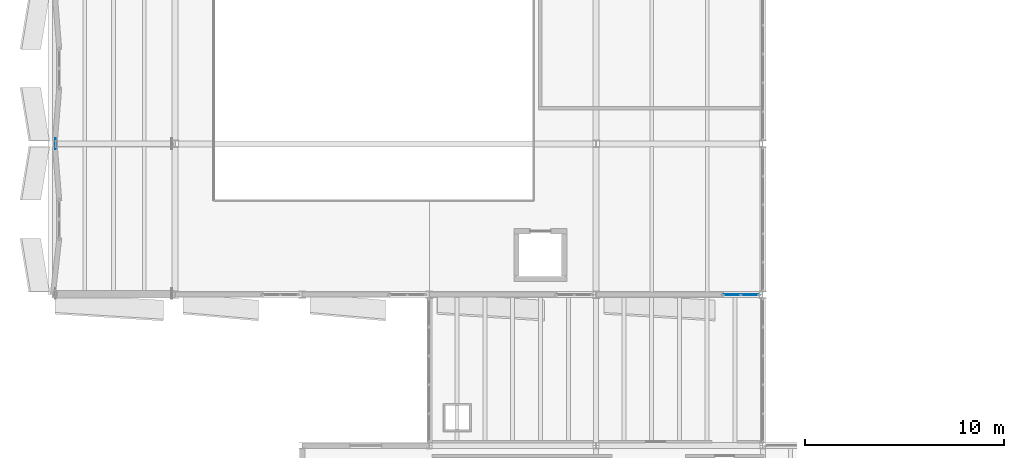
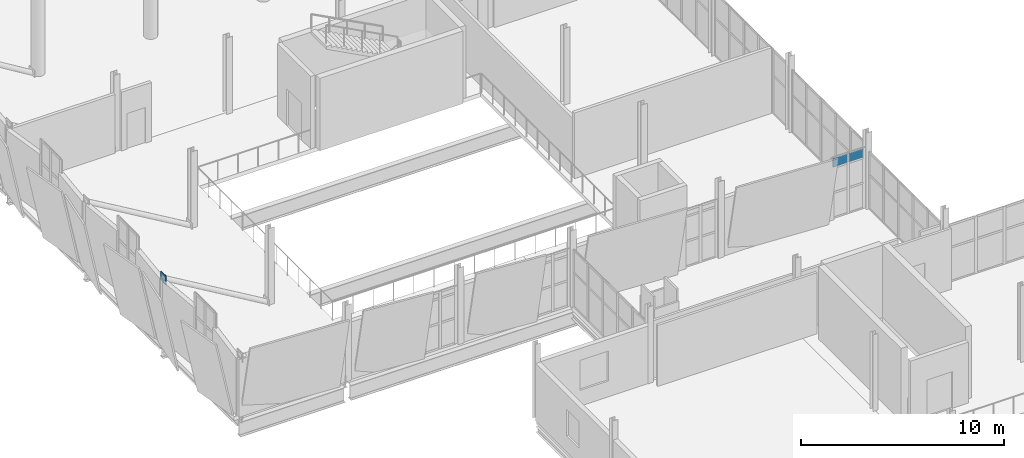
# One storey, part 110 of 136: 3 plates, 1 element without a shape of its own.
"""IFC4 building model written with IfcOpenShell, lengths in metres."""

from ifc_helpers import new_model, si_unit, direction, frame, origin, origin_2d, place, context, subcontext, project, spatial, rectangle, extrude, material, layer, layer_set, type_object, element, aggregate, save


model = new_model("IFC4")

# Units and contexts
model_context = context("Model", 3, precision=1e-05, world=origin(), true_north=direction((0.0, 1.0)))
body_context = subcontext(model_context, "Body", "Model", "MODEL_VIEW")
ifc_project = project(units=[si_unit("LENGTHUNIT", "METRE"), si_unit("AREAUNIT", "SQUARE_METRE"), si_unit("VOLUMEUNIT", "CUBIC_METRE"), si_unit("PLANEANGLEUNIT", "RADIAN"), si_unit("MASSUNIT", "GRAM", prefix="KILO")], contexts=[model_context])

# Site, building, storey
site_placement = place(None, origin())
site = spatial("IfcSite", under=ifc_project, at=site_placement, CompositionType="ELEMENT")
building_placement = place(site_placement, origin())
building = spatial("IfcBuilding", under=site, at=building_placement, Name="Shengluoqiao Park Theatre", CompositionType="ELEMENT")
storey_placement = place(building_placement, frame((0.0, 0.0, 10.0)))
storey = spatial("IfcBuildingStorey", under=building, at=storey_placement, Name="L02", CompositionType="ELEMENT", Elevation=10.0)

# Curtain wall, plates
ifc_material_1 = material(Name="Aluminium 6063-T6", Category="aluminium")
curtain_wall_type = type_object("IfcCurtainWallType", Name="ENV-CW-STUDIO", PredefinedType="NOTDEFINED", material=ifc_material_1)
curtain_wall_placement = place(storey_placement, origin())
curtain_wall = element("IfcCurtainWall", 1, at=curtain_wall_placement, inside=storey, type_object=curtain_wall_type, Name="L02 Curtain Wall CWX-L02-0026", PredefinedType="NOTDEFINED")
ifc_material_2 = material(Name="Insulated glass", Category="glass")
ifc_layer_1 = layer(ifc_material_2, 0.0380859375, Name="Insulated glass")
ifc_layer_set_1 = layer_set([ifc_layer_1], Name="Insulated glass")
plate_type_1 = type_object("IfcPlateType", Name="ENV-GLZ-GL-38", PredefinedType="CURTAIN_PANEL", material=ifc_layer_set_1)
plate_1_placement = place(storey_placement, frame((34.44580078125, 30.39990234375, 3.080078125), z_axis=(0.0, 0.0, 1.0), x_axis=(1.0, 0.0, 0.0)))
plate_1 = element("IfcPlate", 2, at=plate_1_placement, type_object=plate_type_1, Name="CW-02 panel 1.3", PredefinedType="CURTAIN_PANEL", context=body_context, shape_type="SweptSolid", body=[
    extrude(rectangle(XDim=0.83740234375, YDim=0.0380859375, at=origin_2d()), origin(), (0.0, 0.0, 1.0), 0.51806640625),
])
plate_2_placement = place(storey_placement, frame((35.34326171875, 30.39990234375, 3.080078125), z_axis=(0.0, 0.0, 1.0), x_axis=(1.0, 0.0, 0.0)))
plate_2 = element("IfcPlate", 3, at=plate_2_placement, type_object=plate_type_1, Name="CW-02 panel 2.3", PredefinedType="CURTAIN_PANEL", context=body_context, shape_type="SweptSolid", body=[
    extrude(rectangle(XDim=0.83740234375, YDim=0.0380859375, at=origin_2d()), origin(), (0.0, 0.0, 1.0), 0.51806640625),
])
aggregate(curtain_wall, [plate_1, plate_2])

# Plate
ifc_material_3 = material(Name="Steel Q390", Category="steel")
ifc_layer_2 = layer(ifc_material_3, 0.033935546875, Name="Steel Q390")
ifc_layer_set_2 = layer_set([ifc_layer_2], Name="Steel Q390")
plate_type_2 = type_object("IfcPlateType", Name="STR-PLT-EC-540", PredefinedType="SHEET", material=ifc_layer_set_2)
plate_3_placement = place(storey_placement, frame((0.3720703125, 38.0, 3.322998046875), z_axis=(0.0, 0.0, 1.0), x_axis=(-1.0, 0.0, 0.0)))
element("IfcPlate", 4, at=plate_3_placement, inside=storey, type_object=plate_type_2, Name="Hollow Tube End Cap Plate 00053", PredefinedType="SHEET", context=body_context, shape_type="SweptSolid", body=[
    extrude(rectangle(XDim=0.033935546875, YDim=0.5400390625, at=origin_2d()), origin(), (0.0, 0.0, 1.0), 0.5400390625),
])

save(model, "model.ifc")
